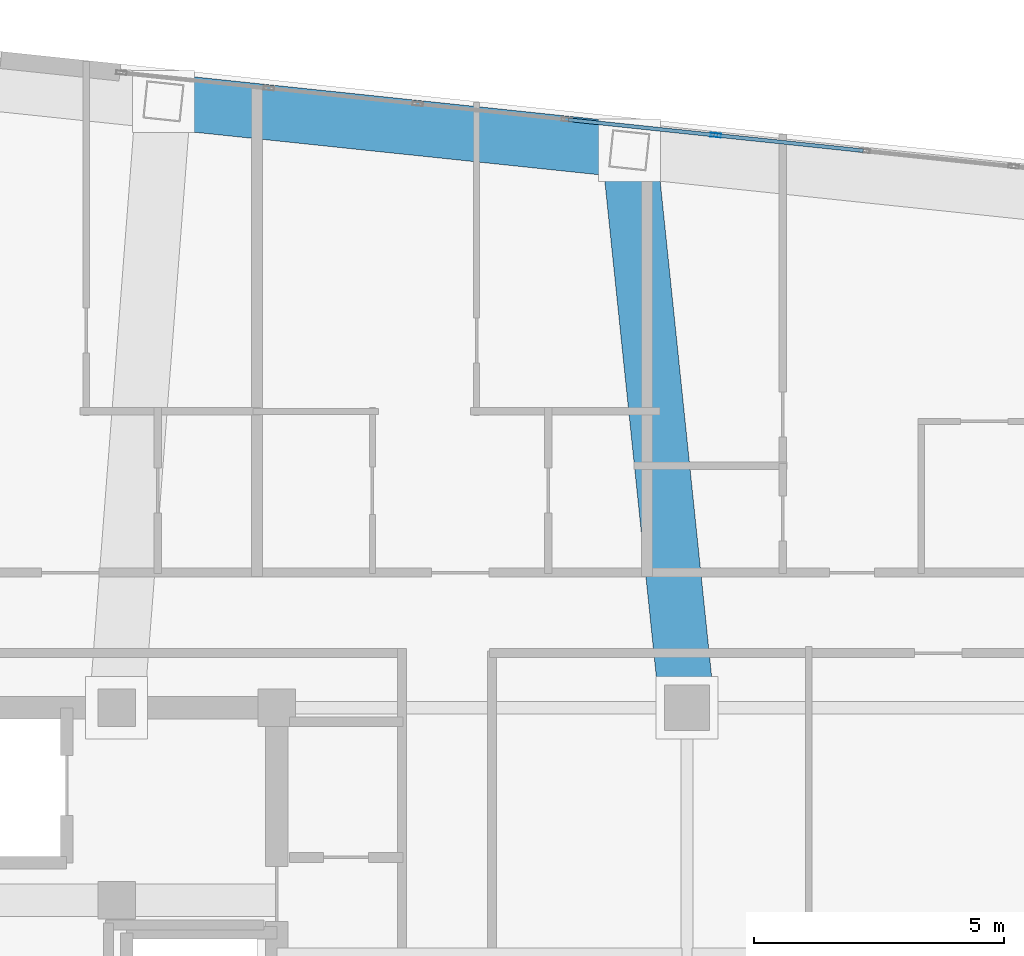
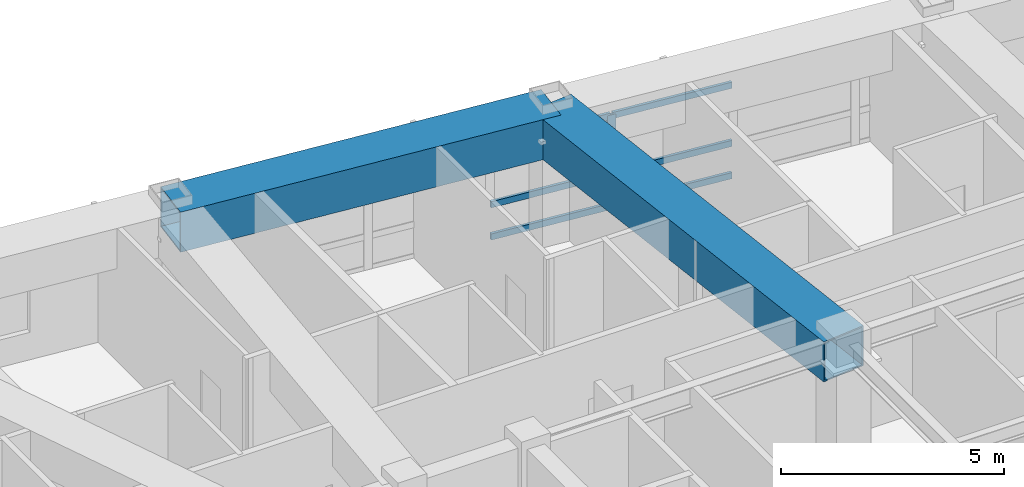
# One storey, part 3 of 16: 7 members, 2 beams, 1 element without a shape of its own.
"""IFC4 building model written with IfcOpenShell, lengths in metres."""

from ifc_helpers import new_model, si_unit, direction, frame, origin, origin_2d, place, context, subcontext, project, spatial, hollow_rectangle, extrude, material, layer, layer_set, material_profile, profile_set, type_object, element, aggregate, save


model = new_model("IFC4")

# Units and contexts
model_context = context("Model", 3, precision=1e-05, world=origin(), true_north=direction((0.0, 1.0)))
body_context = subcontext(model_context, "Body", "Model", "MODEL_VIEW")
ifc_project = project(units=[si_unit("LENGTHUNIT", "METRE"), si_unit("AREAUNIT", "SQUARE_METRE"), si_unit("VOLUMEUNIT", "CUBIC_METRE"), si_unit("PLANEANGLEUNIT", "RADIAN"), si_unit("MASSUNIT", "GRAM", prefix="KILO")], contexts=[model_context])

# Site, building, storey
site_placement = place(None, origin())
site = spatial("IfcSite", under=ifc_project, at=site_placement, CompositionType="ELEMENT")
building_placement = place(site_placement, origin())
building = spatial("IfcBuilding", under=site, at=building_placement, Name="Voryun Gate Residences", CompositionType="ELEMENT")
storey_placement = place(building_placement, frame((0.0, 0.0, 260.0)))
storey = spatial("IfcBuildingStorey", under=building, at=storey_placement, Name="L64", CompositionType="ELEMENT", Elevation=260.0)

# Beams
ifc_material_1 = material(Name="Steel SM420", Category="steel")
ifc_material_profile_1 = material_profile(ifc_material_1, hollow_rectangle(XDim=1.10009765625, YDim=1.10009765625, WallThickness=0.035888671875, at=origin_2d()), Name="BOX-1100x1100x36")
ifc_profile_set_1 = profile_set([ifc_material_profile_1], Name="Steel SM420")
beam_type = type_object("IfcBeamType", Name="BM_ARCH_RIB", PredefinedType="USERDEFINED", material=ifc_profile_set_1)
beam_1_placement = place(storey_placement, frame((-5.357177734375, 18.539794921875, 3.10009765625), z_axis=(-0.994523303591, 0.104515064059, 0.0), x_axis=(-0.104515064059, -0.994523303591, 0.0)))
element("IfcBeam", 1, at=beam_1_placement, inside=storey, type_object=beam_type, Name="BM-L64-SPAND-14", ObjectType="GIRDER", PredefinedType="USERDEFINED", context=body_context, shape_type="SweptSolid", body=[
    extrude(hollow_rectangle(XDim=1.10009765625, YDim=1.10009765625, WallThickness=0.035888671875, at=origin_2d()), origin(), (0.0, 0.0, 1.0), 9.360107421875),
])
beam_2_placement = place(storey_placement, frame((-4.199951171875, 7.39990234375, 3.10009765625), z_axis=(-0.103325291149, 0.994647618109, 0.0), x_axis=(-0.994647618109, -0.103325291149, 0.0)))
element("IfcBeam", 2, at=beam_2_placement, inside=storey, type_object=beam_type, Name="BM-L64-RAD-N4", ObjectType="GIRDER", PredefinedType="USERDEFINED", context=body_context, shape_type="SweptSolid", body=[
    extrude(hollow_rectangle(XDim=1.10009765625, YDim=1.10009765625, WallThickness=0.035888671875, at=origin_2d()), origin(), (0.0, 0.0, 1.0), 11.199951171875),
])

# Curtain wall, members
ifc_material_2 = material(Name="Anodised aluminium", Category="aluminium")
ifc_layer = layer(ifc_material_2, 0.2099609375, Name="CW_SYS_SKYGARDEN_DARK_GLASS")
ifc_layer_set = layer_set([ifc_layer], Name="Anodised aluminium")
curtain_wall_type = type_object("IfcCurtainWallType", Name="CW_SYS_SKYGARDEN_DARK_GLASS", PredefinedType="NOTDEFINED", material=ifc_layer_set)
curtain_wall_placement = place(storey_placement, origin())
curtain_wall = element("IfcCurtainWall", 3, at=curtain_wall_placement, inside=storey, type_object=curtain_wall_type, Name="Curtain wall CW5-L64-SG-11", PredefinedType="NOTDEFINED")
ifc_material_3 = material(Name="Anodised aluminium", Category="aluminium")
ifc_material_profile_2 = material_profile(ifc_material_3, hollow_rectangle(XDim=0.074951171875, YDim=0.2099609375, WallThickness=0.0048828125, at=origin_2d()), Name="ALU-MULL-210x75x5")
ifc_profile_set_2 = profile_set([ifc_material_profile_2], Name="Anodised aluminium")
member_type_1 = type_object("IfcMemberType", Name="CW_MULL_SKY", PredefinedType="MULLION", material=ifc_profile_set_2)
member_1_placement = place(storey_placement, frame((-3.62939453125, 18.8408203125, 0.0), z_axis=(0.0, 0.0, 1.0), x_axis=(0.104532256285, 0.994521496699, 0.0)))
member_1 = element("IfcMember", 4, at=member_1_placement, type_object=member_type_1, Name="CW5 mullion 5", PredefinedType="MULLION", context=body_context, shape_type="SweptSolid", body=[
    extrude(hollow_rectangle(XDim=0.074951171875, YDim=0.2099609375, WallThickness=0.0048828125, at=origin_2d()), origin(), (0.0, 0.0, 1.0), 2.5400390625),
])
ifc_material_4 = material(Name="Anodised aluminium", Category="aluminium")
ifc_material_profile_3 = material_profile(ifc_material_4, hollow_rectangle(XDim=0.074951171875, YDim=0.169921875, WallThickness=0.0048828125, at=origin_2d()), Name="ALU-TRAN-170x75x5")
ifc_profile_set_3 = profile_set([ifc_material_profile_3], Name="Anodised aluminium")
member_type_2 = type_object("IfcMemberType", Name="CW_TRAN_SKY", PredefinedType="USERDEFINED", material=ifc_profile_set_3)
member_2_placement = place(storey_placement, frame((-6.576171875, 19.150634765625, 0.030029296875), z_axis=(0.994520038301, -0.104546130575, 0.0), x_axis=(0.104546130575, 0.994520038301, 0.0)))
member_2 = element("IfcMember", 5, at=member_2_placement, type_object=member_type_2, Name="CW5 transom 4.1", ObjectType="TRANSOM", PredefinedType="USERDEFINED", context=body_context, shape_type="SweptSolid", body=[
    extrude(hollow_rectangle(XDim=0.074951171875, YDim=0.169921875, WallThickness=0.0048828125, at=origin_2d()), origin(), (0.0, 0.0, 1.0), 2.93310546875),
])
member_3_placement = place(storey_placement, frame((-6.576171875, 19.150634765625, 0.914306640625), z_axis=(0.994520038301, -0.104546130575, 0.0), x_axis=(0.104546130575, 0.994520038301, 0.0)))
member_3 = element("IfcMember", 6, at=member_3_placement, type_object=member_type_2, Name="CW5 transom 4.2", ObjectType="TRANSOM", PredefinedType="USERDEFINED", context=body_context, shape_type="SweptSolid", body=[
    extrude(hollow_rectangle(XDim=0.074951171875, YDim=0.169921875, WallThickness=0.0048828125, at=origin_2d()), origin(), (0.0, 0.0, 1.0), 2.93310546875),
])
member_4_placement = place(storey_placement, frame((-6.576171875, 19.150634765625, 2.510009765625), z_axis=(0.994520038301, -0.104546130575, 0.0), x_axis=(0.104546130575, 0.994520038301, 0.0)))
member_4 = element("IfcMember", 7, at=member_4_placement, type_object=member_type_2, Name="CW5 transom 4.3", ObjectType="TRANSOM", PredefinedType="USERDEFINED", context=body_context, shape_type="SweptSolid", body=[
    extrude(hollow_rectangle(XDim=0.074951171875, YDim=0.169921875, WallThickness=0.0048828125, at=origin_2d()), origin(), (0.0, 0.0, 1.0), 2.93310546875),
])
member_5_placement = place(storey_placement, frame((-3.599365234375, 18.837646484375, 0.030029296875), z_axis=(0.994520038301, -0.104546130575, 0.0), x_axis=(0.104546130575, 0.994520038301, 0.0)))
member_5 = element("IfcMember", 8, at=member_5_placement, type_object=member_type_2, Name="CW5 transom 5.1", ObjectType="TRANSOM", PredefinedType="USERDEFINED", context=body_context, shape_type="SweptSolid", body=[
    extrude(hollow_rectangle(XDim=0.074951171875, YDim=0.169921875, WallThickness=0.0048828125, at=origin_2d()), origin(), (0.0, 0.0, 1.0), 2.93310546875),
])
member_6_placement = place(storey_placement, frame((-3.599365234375, 18.837646484375, 0.914306640625), z_axis=(0.994520038301, -0.104546130575, 0.0), x_axis=(0.104546130575, 0.994520038301, 0.0)))
member_6 = element("IfcMember", 9, at=member_6_placement, type_object=member_type_2, Name="CW5 transom 5.2", ObjectType="TRANSOM", PredefinedType="USERDEFINED", context=body_context, shape_type="SweptSolid", body=[
    extrude(hollow_rectangle(XDim=0.074951171875, YDim=0.169921875, WallThickness=0.0048828125, at=origin_2d()), origin(), (0.0, 0.0, 1.0), 2.93310546875),
])
member_7_placement = place(storey_placement, frame((-3.599365234375, 18.837646484375, 2.510009765625), z_axis=(0.994520038301, -0.104546130575, 0.0), x_axis=(0.104546130575, 0.994520038301, 0.0)))
member_7 = element("IfcMember", 10, at=member_7_placement, type_object=member_type_2, Name="CW5 transom 5.3", ObjectType="TRANSOM", PredefinedType="USERDEFINED", context=body_context, shape_type="SweptSolid", body=[
    extrude(hollow_rectangle(XDim=0.074951171875, YDim=0.169921875, WallThickness=0.0048828125, at=origin_2d()), origin(), (0.0, 0.0, 1.0), 2.93310546875),
])
aggregate(curtain_wall, [member_1, member_2, member_3, member_4, member_5, member_6, member_7])

save(model, "model.ifc")
